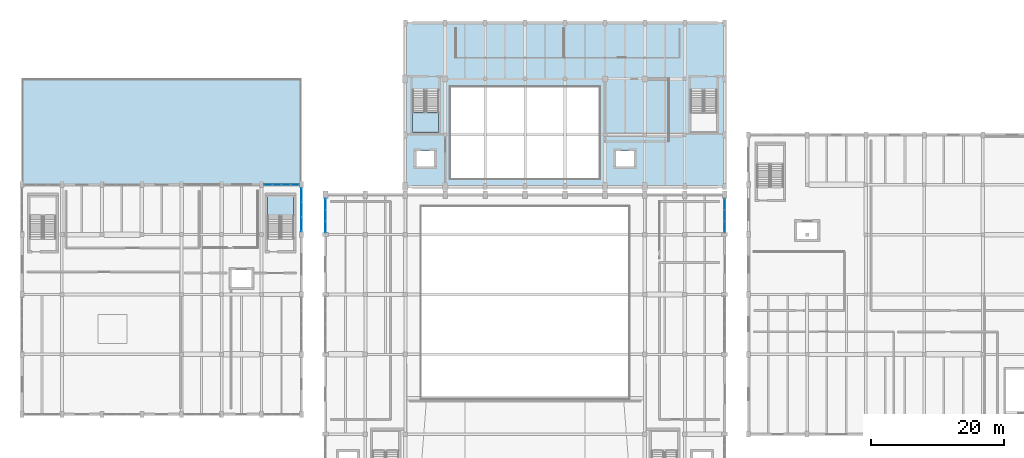
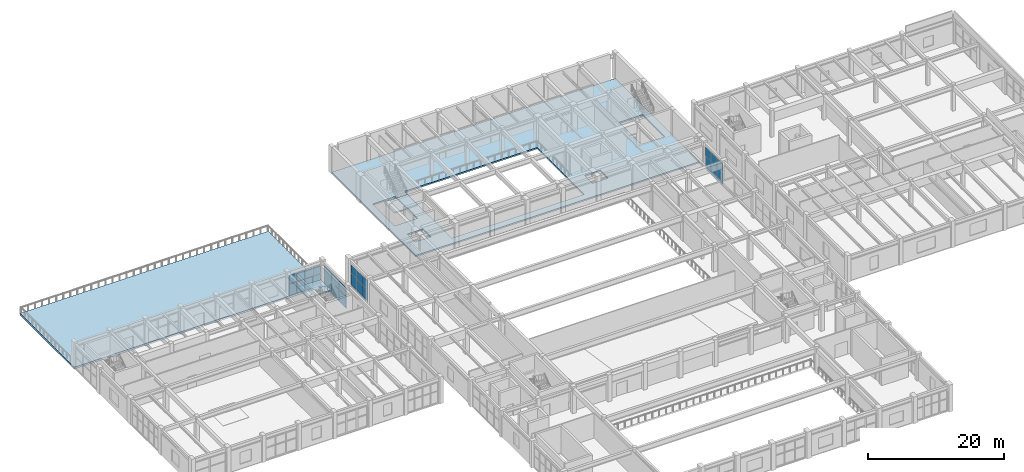
# One storey, part 54 of 80: 26 plates, 4 slabs, 6 elements without a shape of their own.
"""IFC4 building model written with IfcOpenShell, lengths in metres."""

from ifc_helpers import new_model, si_unit, direction, frame, origin, origin_2d, place, context, subcontext, project, spatial, polyline, rectangle, outline, extrude, material, layer, layer_set, type_object, element, aggregate, save


model = new_model("IFC4")

# Units and contexts
model_context = context("Model", 3, precision=1e-05, world=origin(), true_north=direction((0.0, 1.0)))
body_context = subcontext(model_context, "Body", "Model", "MODEL_VIEW")
ifc_project = project(units=[si_unit("LENGTHUNIT", "METRE"), si_unit("AREAUNIT", "SQUARE_METRE"), si_unit("VOLUMEUNIT", "CUBIC_METRE"), si_unit("PLANEANGLEUNIT", "RADIAN"), si_unit("MASSUNIT", "GRAM", prefix="KILO")], contexts=[model_context])

# Site, building, storey
site_placement = place(None, origin())
site = spatial("IfcSite", under=ifc_project, at=site_placement, CompositionType="ELEMENT")
building_placement = place(site_placement, origin())
building = spatial("IfcBuilding", under=site, at=building_placement, Name="Vaelkrest Opera House", CompositionType="ELEMENT")
storey_placement = place(building_placement, frame((0.0, 0.0, 15.0)))
storey = spatial("IfcBuildingStorey", under=building, at=storey_placement, Name="L03", CompositionType="ELEMENT", Elevation=15.0)

# Curtain wall, plates
ifc_material_1 = material(Name="Dark bronze anodized aluminium", Category="aluminium")
ifc_layer_1 = layer(ifc_material_1, 0.18994140625)
ifc_layer_set_1 = layer_set([ifc_layer_1], Name="Dark bronze anodized aluminium")
curtain_wall_type_1 = type_object("IfcCurtainWallType", Name="CW02", PredefinedType="NOTDEFINED", material=ifc_layer_set_1)
curtain_wall_1_placement = place(storey_placement, origin())
curtain_wall_1 = element("IfcCurtainWall", 1, at=curtain_wall_1_placement, inside=storey, type_object=curtain_wall_type_1, Name="Curtain wall CW-L03-050", PredefinedType="NOTDEFINED")
ifc_material_2 = material(Name="Double low-E insulated glazing", Category="glass")
ifc_layer_2 = layer(ifc_material_2, 0.030029296875)
ifc_layer_set_2 = layer_set([ifc_layer_2], Name="Double low-E insulated glazing")
plate_type_1 = type_object("IfcPlateType", Name="CWP02", PredefinedType="CURTAIN_PANEL", material=ifc_layer_set_2)
plate_1_placement = place(storey_placement, frame((-30.0, 11.37451171875, 0.070068359375), z_axis=(0.0, 0.0, 1.0), x_axis=(0.0, 1.0, 0.0)))
plate_1 = element("IfcPlate", 2, at=plate_1_placement, type_object=plate_type_1, Name="CW02 panel 1.1", PredefinedType="CURTAIN_PANEL", context=body_context, shape_type="SweptSolid", body=[
    extrude(rectangle(XDim=1.613037109375, YDim=0.030029296875, at=origin_2d()), origin(), (0.0, 0.0, 1.0), 2.044921875),
])
plate_2_placement = place(storey_placement, frame((-30.0, 11.37451171875, 2.18505859375), z_axis=(0.0, 0.0, 1.0), x_axis=(0.0, 1.0, 0.0)))
plate_2 = element("IfcPlate", 3, at=plate_2_placement, type_object=plate_type_1, Name="CW02 panel 1.2", PredefinedType="CURTAIN_PANEL", context=body_context, shape_type="SweptSolid", body=[
    extrude(rectangle(XDim=1.613037109375, YDim=0.030029296875, at=origin_2d()), origin(), (0.0, 0.0, 1.0), 1.573974609375),
])
plate_3_placement = place(storey_placement, frame((-30.0, 13.074951171875, 0.070068359375), z_axis=(0.0, 0.0, 1.0), x_axis=(0.0, 1.0, 0.0)))
plate_3 = element("IfcPlate", 4, at=plate_3_placement, type_object=plate_type_1, Name="CW02 panel 2.1", PredefinedType="CURTAIN_PANEL", context=body_context, shape_type="SweptSolid", body=[
    extrude(rectangle(XDim=1.64794921875, YDim=0.030029296875, at=origin_2d()), origin(), (0.0, 0.0, 1.0), 2.044921875),
])
plate_4_placement = place(storey_placement, frame((-30.0, 13.074951171875, 2.18505859375), z_axis=(0.0, 0.0, 1.0), x_axis=(0.0, 1.0, 0.0)))
plate_4 = element("IfcPlate", 5, at=plate_4_placement, type_object=plate_type_1, Name="CW02 panel 2.2", PredefinedType="CURTAIN_PANEL", context=body_context, shape_type="SweptSolid", body=[
    extrude(rectangle(XDim=1.64794921875, YDim=0.030029296875, at=origin_2d()), origin(), (0.0, 0.0, 1.0), 1.573974609375),
])
plate_5_placement = place(storey_placement, frame((-30.0, 14.775390625, 0.070068359375), z_axis=(0.0, 0.0, 1.0), x_axis=(0.0, 1.0, 0.0)))
plate_5 = element("IfcPlate", 6, at=plate_5_placement, type_object=plate_type_1, Name="CW02 panel 3.1", PredefinedType="CURTAIN_PANEL", context=body_context, shape_type="SweptSolid", body=[
    extrude(rectangle(XDim=1.613037109375, YDim=0.030029296875, at=origin_2d()), origin(), (0.0, 0.0, 1.0), 2.044921875),
])
plate_6_placement = place(storey_placement, frame((-30.0, 14.775390625, 2.18505859375), z_axis=(0.0, 0.0, 1.0), x_axis=(0.0, 1.0, 0.0)))
plate_6 = element("IfcPlate", 7, at=plate_6_placement, type_object=plate_type_1, Name="CW02 panel 3.2", PredefinedType="CURTAIN_PANEL", context=body_context, shape_type="SweptSolid", body=[
    extrude(rectangle(XDim=1.613037109375, YDim=0.030029296875, at=origin_2d()), origin(), (0.0, 0.0, 1.0), 1.573974609375),
])
aggregate(curtain_wall_1, [plate_1, plate_2, plate_3, plate_4, plate_5, plate_6])

curtain_wall_2_placement = place(storey_placement, origin())
curtain_wall_2 = element("IfcCurtainWall", 8, at=curtain_wall_2_placement, inside=storey, type_object=curtain_wall_type_1, Name="Curtain wall CW-L03-134", PredefinedType="NOTDEFINED")
plate_7_placement = place(storey_placement, frame((-38.60888671875, 17.699951171875, 0.070068359375), z_axis=(0.0, 0.0, 1.0), x_axis=(1.0, 0.0, 0.0)))
plate_7 = element("IfcPlate", 9, at=plate_7_placement, type_object=plate_type_1, Name="CW02 panel 1.1", PredefinedType="CURTAIN_PANEL", context=body_context, shape_type="SweptSolid", body=[
    extrude(rectangle(XDim=1.24609375, YDim=0.030029296875, at=origin_2d()), origin(), (0.0, 0.0, 1.0), 2.044921875),
])
plate_8_placement = place(storey_placement, frame((-38.60888671875, 17.699951171875, 2.18505859375), z_axis=(0.0, 0.0, 1.0), x_axis=(1.0, 0.0, 0.0)))
plate_8 = element("IfcPlate", 10, at=plate_8_placement, type_object=plate_type_1, Name="CW02 panel 1.2", PredefinedType="CURTAIN_PANEL", context=body_context, shape_type="SweptSolid", body=[
    extrude(rectangle(XDim=1.24609375, YDim=0.030029296875, at=origin_2d()), origin(), (0.0, 0.0, 1.0), 1.489990234375),
])
plate_9_placement = place(storey_placement, frame((-37.275390625, 17.699951171875, 0.070068359375), z_axis=(0.0, 0.0, 1.0), x_axis=(1.0, 0.0, 0.0)))
plate_9 = element("IfcPlate", 11, at=plate_9_placement, type_object=plate_type_1, Name="CW02 panel 2.1", PredefinedType="CURTAIN_PANEL", context=body_context, shape_type="SweptSolid", body=[
    extrude(rectangle(XDim=1.281005859375, YDim=0.030029296875, at=origin_2d()), origin(), (0.0, 0.0, 1.0), 2.044921875),
])
plate_10_placement = place(storey_placement, frame((-37.275390625, 17.699951171875, 2.18505859375), z_axis=(0.0, 0.0, 1.0), x_axis=(1.0, 0.0, 0.0)))
plate_10 = element("IfcPlate", 12, at=plate_10_placement, type_object=plate_type_1, Name="CW02 panel 2.2", PredefinedType="CURTAIN_PANEL", context=body_context, shape_type="SweptSolid", body=[
    extrude(rectangle(XDim=1.281005859375, YDim=0.030029296875, at=origin_2d()), origin(), (0.0, 0.0, 1.0), 1.489990234375),
])
plate_11_placement = place(storey_placement, frame((-35.924560546875, 17.699951171875, 0.070068359375), z_axis=(0.0, 0.0, 1.0), x_axis=(1.0, 0.0, 0.0)))
plate_11 = element("IfcPlate", 13, at=plate_11_placement, type_object=plate_type_1, Name="CW02 panel 3.1", PredefinedType="CURTAIN_PANEL", context=body_context, shape_type="SweptSolid", body=[
    extrude(rectangle(XDim=1.281005859375, YDim=0.030029296875, at=origin_2d()), origin(), (0.0, 0.0, 1.0), 2.044921875),
])
plate_12_placement = place(storey_placement, frame((-35.924560546875, 17.699951171875, 2.18505859375), z_axis=(0.0, 0.0, 1.0), x_axis=(1.0, 0.0, 0.0)))
plate_12 = element("IfcPlate", 14, at=plate_12_placement, type_object=plate_type_1, Name="CW02 panel 3.2", PredefinedType="CURTAIN_PANEL", context=body_context, shape_type="SweptSolid", body=[
    extrude(rectangle(XDim=1.281005859375, YDim=0.030029296875, at=origin_2d()), origin(), (0.0, 0.0, 1.0), 1.489990234375),
])
plate_13_placement = place(storey_placement, frame((-34.591064453125, 17.699951171875, 0.070068359375), z_axis=(0.0, 0.0, 1.0), x_axis=(1.0, 0.0, 0.0)))
plate_13 = element("IfcPlate", 15, at=plate_13_placement, type_object=plate_type_1, Name="CW02 panel 4.1", PredefinedType="CURTAIN_PANEL", context=body_context, shape_type="SweptSolid", body=[
    extrude(rectangle(XDim=1.24609375, YDim=0.030029296875, at=origin_2d()), origin(), (0.0, 0.0, 1.0), 2.044921875),
])
plate_14_placement = place(storey_placement, frame((-34.591064453125, 17.699951171875, 2.18505859375), z_axis=(0.0, 0.0, 1.0), x_axis=(1.0, 0.0, 0.0)))
plate_14 = element("IfcPlate", 16, at=plate_14_placement, type_object=plate_type_1, Name="CW02 panel 4.2", PredefinedType="CURTAIN_PANEL", context=body_context, shape_type="SweptSolid", body=[
    extrude(rectangle(XDim=1.24609375, YDim=0.030029296875, at=origin_2d()), origin(), (0.0, 0.0, 1.0), 1.489990234375),
])
aggregate(curtain_wall_2, [plate_7, plate_8, plate_9, plate_10, plate_11, plate_12, plate_13, plate_14])

ifc_layer_3 = layer(ifc_material_1, 0.219970703125)
ifc_layer_set_3 = layer_set([ifc_layer_3], Name="Dark bronze anodized aluminium")
curtain_wall_type_2 = type_object("IfcCurtainWallType", Name="CW05", PredefinedType="NOTDEFINED", material=ifc_layer_set_3)
curtain_wall_3_placement = place(storey_placement, origin())
curtain_wall_3 = element("IfcCurtainWall", 17, at=curtain_wall_3_placement, inside=storey, type_object=curtain_wall_type_2, Name="Curtain wall CW-L03-051", PredefinedType="NOTDEFINED")
ifc_layer_4 = layer(ifc_material_2, 0.0419921875)
ifc_layer_set_4 = layer_set([ifc_layer_4], Name="Double low-E insulated glazing")
plate_type_2 = type_object("IfcPlateType", Name="CWP05", PredefinedType="CURTAIN_PANEL", material=ifc_layer_set_4)
plate_15_placement = place(storey_placement, frame((30.0, 14.77685546875, 0.074951171875), z_axis=(0.0, 0.0, 1.0), x_axis=(0.0, -1.0, 0.0)))
plate_15 = element("IfcPlate", 18, at=plate_15_placement, type_object=plate_type_2, Name="CW05 panel 1.1", PredefinedType="CURTAIN_PANEL", context=body_context, shape_type="SweptSolid", body=[
    extrude(rectangle(XDim=1.62060546875, YDim=0.0419921875, at=origin_2d()), origin(), (0.0, 0.0, 1.0), 2.03759765625),
])
plate_16_placement = place(storey_placement, frame((30.0, 14.77685546875, 2.1875), z_axis=(0.0, 0.0, 1.0), x_axis=(0.0, -1.0, 0.0)))
plate_16 = element("IfcPlate", 19, at=plate_16_placement, type_object=plate_type_2, Name="CW05 panel 1.2", PredefinedType="CURTAIN_PANEL", context=body_context, shape_type="SweptSolid", body=[
    extrude(rectangle(XDim=1.62060546875, YDim=0.0419921875, at=origin_2d()), origin(), (0.0, 0.0, 1.0), 1.56640625),
])
plate_17_placement = place(storey_placement, frame((30.0, 13.074951171875, 0.074951171875), z_axis=(0.0, 0.0, 1.0), x_axis=(0.0, -1.0, 0.0)))
plate_17 = element("IfcPlate", 20, at=plate_17_placement, type_object=plate_type_2, Name="CW05 panel 2.1", PredefinedType="CURTAIN_PANEL", context=body_context, shape_type="SweptSolid", body=[
    extrude(rectangle(XDim=1.653076171875, YDim=0.0419921875, at=origin_2d()), origin(), (0.0, 0.0, 1.0), 2.03759765625),
])
plate_18_placement = place(storey_placement, frame((30.0, 13.074951171875, 2.1875), z_axis=(0.0, 0.0, 1.0), x_axis=(0.0, -1.0, 0.0)))
plate_18 = element("IfcPlate", 21, at=plate_18_placement, type_object=plate_type_2, Name="CW05 panel 2.2", PredefinedType="CURTAIN_PANEL", context=body_context, shape_type="SweptSolid", body=[
    extrude(rectangle(XDim=1.653076171875, YDim=0.0419921875, at=origin_2d()), origin(), (0.0, 0.0, 1.0), 1.56640625),
])
plate_19_placement = place(storey_placement, frame((30.0, 11.373291015625, 0.074951171875), z_axis=(0.0, 0.0, 1.0), x_axis=(0.0, -1.0, 0.0)))
plate_19 = element("IfcPlate", 22, at=plate_19_placement, type_object=plate_type_2, Name="CW05 panel 3.1", PredefinedType="CURTAIN_PANEL", context=body_context, shape_type="SweptSolid", body=[
    extrude(rectangle(XDim=1.62060546875, YDim=0.0419921875, at=origin_2d()), origin(), (0.0, 0.0, 1.0), 2.03759765625),
])
plate_20_placement = place(storey_placement, frame((30.0, 11.373291015625, 2.1875), z_axis=(0.0, 0.0, 1.0), x_axis=(0.0, -1.0, 0.0)))
plate_20 = element("IfcPlate", 23, at=plate_20_placement, type_object=plate_type_2, Name="CW05 panel 3.2", PredefinedType="CURTAIN_PANEL", context=body_context, shape_type="SweptSolid", body=[
    extrude(rectangle(XDim=1.62060546875, YDim=0.0419921875, at=origin_2d()), origin(), (0.0, 0.0, 1.0), 1.56640625),
])
aggregate(curtain_wall_3, [plate_15, plate_16, plate_17, plate_18, plate_19, plate_20])

curtain_wall_4_placement = place(storey_placement, origin())
curtain_wall_4 = element("IfcCurtainWall", 24, at=curtain_wall_4_placement, inside=storey, type_object=curtain_wall_type_2, Name="Curtain wall CW-L03-135", PredefinedType="NOTDEFINED")
plate_21_placement = place(storey_placement, frame((-33.60009765625, 16.135009765625, 0.074951171875), z_axis=(0.0, 0.0, 1.0), x_axis=(0.0, -1.0, 0.0)))
plate_21 = element("IfcPlate", 25, at=plate_21_placement, type_object=plate_type_2, Name="CW05 panel 1.1", PredefinedType="CURTAIN_PANEL", context=body_context, shape_type="SweptSolid", body=[
    extrude(rectangle(XDim=2.103759765625, YDim=0.0419921875, at=origin_2d()), origin(), (0.0, 0.0, 1.0), 2.03759765625),
])
plate_22_placement = place(storey_placement, frame((-33.60009765625, 16.135009765625, 2.1875), z_axis=(0.0, 0.0, 1.0), x_axis=(0.0, -1.0, 0.0)))
plate_22 = element("IfcPlate", 26, at=plate_22_placement, type_object=plate_type_2, Name="CW05 panel 1.2", PredefinedType="CURTAIN_PANEL", context=body_context, shape_type="SweptSolid", body=[
    extrude(rectangle(XDim=2.103759765625, YDim=0.0419921875, at=origin_2d()), origin(), (0.0, 0.0, 1.0), 1.56640625),
])
plate_23_placement = place(storey_placement, frame((-33.60009765625, 13.949951171875, 0.074951171875), z_axis=(0.0, 0.0, 1.0), x_axis=(0.0, -1.0, 0.0)))
plate_23 = element("IfcPlate", 27, at=plate_23_placement, type_object=plate_type_2, Name="CW05 panel 2.1", PredefinedType="CURTAIN_PANEL", context=body_context, shape_type="SweptSolid", body=[
    extrude(rectangle(XDim=2.13623046875, YDim=0.0419921875, at=origin_2d()), origin(), (0.0, 0.0, 1.0), 2.03759765625),
])
plate_24_placement = place(storey_placement, frame((-33.60009765625, 13.949951171875, 2.1875), z_axis=(0.0, 0.0, 1.0), x_axis=(0.0, -1.0, 0.0)))
plate_24 = element("IfcPlate", 28, at=plate_24_placement, type_object=plate_type_2, Name="CW05 panel 2.2", PredefinedType="CURTAIN_PANEL", context=body_context, shape_type="SweptSolid", body=[
    extrude(rectangle(XDim=2.13623046875, YDim=0.0419921875, at=origin_2d()), origin(), (0.0, 0.0, 1.0), 1.56640625),
])
plate_25_placement = place(storey_placement, frame((-33.60009765625, 11.764892578125, 0.074951171875), z_axis=(0.0, 0.0, 1.0), x_axis=(0.0, -1.0, 0.0)))
plate_25 = element("IfcPlate", 29, at=plate_25_placement, type_object=plate_type_2, Name="CW05 panel 3.1", PredefinedType="CURTAIN_PANEL", context=body_context, shape_type="SweptSolid", body=[
    extrude(rectangle(XDim=2.103759765625, YDim=0.0419921875, at=origin_2d()), origin(), (0.0, 0.0, 1.0), 2.03759765625),
])
plate_26_placement = place(storey_placement, frame((-33.60009765625, 11.764892578125, 2.1875), z_axis=(0.0, 0.0, 1.0), x_axis=(0.0, -1.0, 0.0)))
plate_26 = element("IfcPlate", 30, at=plate_26_placement, type_object=plate_type_2, Name="CW05 panel 3.2", PredefinedType="CURTAIN_PANEL", context=body_context, shape_type="SweptSolid", body=[
    extrude(rectangle(XDim=2.103759765625, YDim=0.0419921875, at=origin_2d()), origin(), (0.0, 0.0, 1.0), 1.56640625),
])
aggregate(curtain_wall_4, [plate_21, plate_22, plate_23, plate_24, plate_25, plate_26])

# Slab
ifc_material_3 = material(Name="Concrete C40/50", Category="concrete")
ifc_layer_5 = layer(ifc_material_3, 0.264892578125)
ifc_layer_set_5 = layer_set([ifc_layer_5], Name="Concrete C40/50")
slab_type_1 = type_object("IfcSlabType", Name="FS02", PredefinedType="FLOOR", material=ifc_layer_set_5)
slab_1_placement = place(storey_placement, frame((0.0, 0.0, -0.264892578125)))
element("IfcSlab", 31, at=slab_1_placement, inside=storey, type_object=slab_type_1, Name="Floor slab SLB-V2-L03-013", PredefinedType="FLOOR", context=body_context, shape_type="SweptSolid", body=[
    extrude(outline(polyline([(-18.0, 17.39990234375), (30.0, 17.39990234375), (30.0, 42.0), (-18.0, 42.0), (-18.0, 17.39990234375)]), holes=[polyline([(-11.199951171875, 18.60009765625), (11.199951171875, 18.60009765625), (11.199951171875, 32.39990234375), (-11.199951171875, 32.39990234375), (-11.199951171875, 18.60009765625)]), polyline([(-16.89990234375, 31.949951171875), (-16.89990234375, 25.5), (-13.0, 25.5), (-13.0, 31.949951171875), (-16.89990234375, 31.949951171875)]), polyline([(24.89990234375, 31.949951171875), (24.89990234375, 25.5), (28.800048828125, 25.5), (28.800048828125, 31.949951171875), (24.89990234375, 31.949951171875)]), polyline([(-16.35009765625, 20.449951171875), (-13.64990234375, 20.449951171875), (-13.64990234375, 22.75), (-16.35009765625, 22.75), (-16.35009765625, 20.449951171875)]), polyline([(13.64990234375, 20.449951171875), (16.35009765625, 20.449951171875), (16.35009765625, 22.75), (13.64990234375, 22.75), (13.64990234375, 20.449951171875)])]), origin(), (0.0, 0.0, 1.0), 0.264892578125),
])

# Stair, slab
stair_type_1 = type_object("IfcStairType", Name="ST05", PredefinedType="TWO_STRAIGHT_RUN_STAIR", material=ifc_material_3)
stair_1_placement = place(storey_placement, origin())
stair_1 = element("IfcStair", 32, at=stair_1_placement, inside=storey, type_object=stair_type_1, Name="L03 Protected exit stair ST05", PredefinedType="TWO_STRAIGHT_RUN_STAIR")
ifc_layer_6 = layer(ifc_material_3, 0.199951171875)
ifc_layer_set_6 = layer_set([ifc_layer_6], Name="Concrete C40/50")
slab_type_2 = type_object("IfcSlabType", Name="SLD01", PredefinedType="LANDING", material=ifc_layer_set_6)
slab_2_placement = place(storey_placement, frame((0.0, 0.0, 2.199951171875)))
slab_2 = element("IfcSlab", 33, at=slab_2_placement, type_object=slab_type_2, Name="ST05 landing 1", PredefinedType="LANDING", context=body_context, shape_type="SweptSolid", body=[
    extrude(outline(polyline([(-16.89990234375, 28.590087890625), (-16.89990234375, 25.5), (-13.0, 25.5), (-13.0, 28.590087890625), (-16.89990234375, 28.590087890625)])), origin(), (0.0, 0.0, 1.0), 0.199951171875),
])
aggregate(stair_1, [slab_2])

stair_type_2 = type_object("IfcStairType", Name="ST08", PredefinedType="TWO_STRAIGHT_RUN_STAIR", material=ifc_material_3)
stair_2_placement = place(storey_placement, origin())
stair_2 = element("IfcStair", 34, at=stair_2_placement, inside=storey, type_object=stair_type_2, Name="L03 Protected exit stair ST08", PredefinedType="TWO_STRAIGHT_RUN_STAIR")
slab_3_placement = place(storey_placement, frame((0.0, 0.0, 2.199951171875)))
slab_3 = element("IfcSlab", 35, at=slab_3_placement, type_object=slab_type_2, Name="ST08 landing 1", PredefinedType="LANDING", context=body_context, shape_type="SweptSolid", body=[
    extrude(outline(polyline([(-34.800048828125, 13.010009765625), (-34.800048828125, 16.10009765625), (-38.699951171875, 16.10009765625), (-38.699951171875, 13.010009765625), (-34.800048828125, 13.010009765625)])), origin(), (0.0, 0.0, 1.0), 0.199951171875),
])
aggregate(stair_2, [slab_3])

# Slab
ifc_layer_7 = layer(ifc_material_3, 0.340087890625)
ifc_layer_set_7 = layer_set([ifc_layer_7], Name="Concrete C40/50")
slab_type_3 = type_object("IfcSlabType", Name="TS03", PredefinedType="FLOOR", material=ifc_layer_set_7)
slab_4_placement = place(storey_placement, frame((0.0, 0.0, -0.340087890625)))
element("IfcSlab", 36, at=slab_4_placement, inside=storey, type_object=slab_type_3, Name="Terrace slab SLB-EXT-V3-L03-023", PredefinedType="FLOOR", context=body_context, shape_type="SweptSolid", body=[
    extrude(outline(polyline([(-75.60009765625, 17.699951171875), (-33.60009765625, 17.699951171875), (-33.60009765625, 33.60009765625), (-75.60009765625, 33.60009765625), (-75.60009765625, 17.699951171875)])), origin(), (0.0, 0.0, 1.0), 0.340087890625),
])

save(model, "model.ifc")
